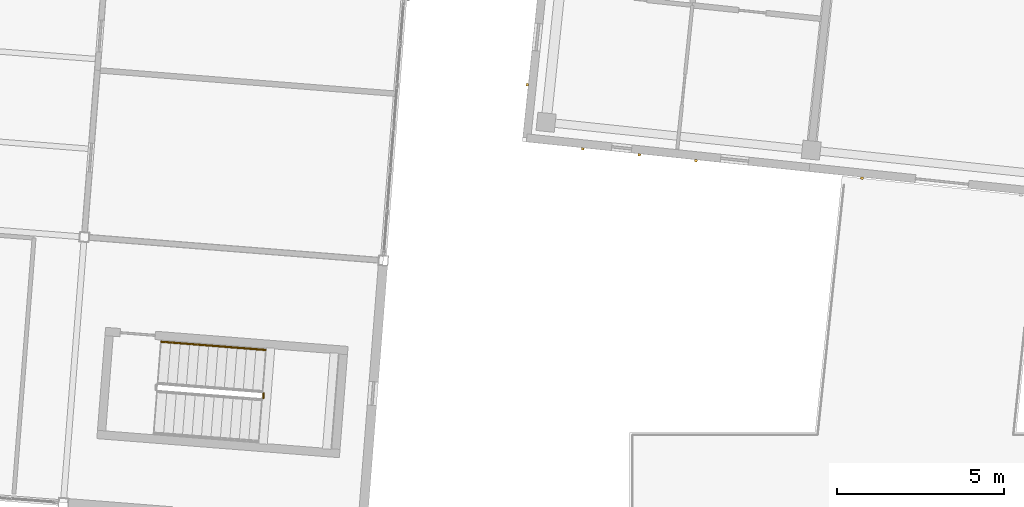
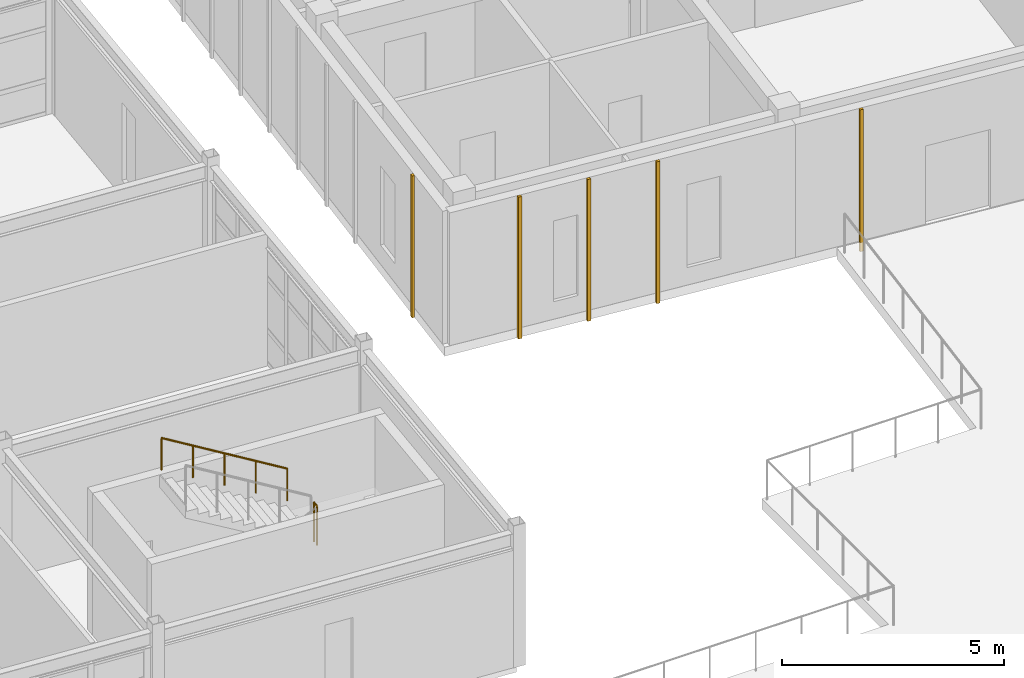
# One storey, part 138 of 150: 5 coverings, 2 railings.
"""IFC4 building model written with IfcOpenShell, lengths in metres."""

from ifc_helpers import new_model, si_unit, direction, frame, origin, origin_2d, place, context, subcontext, project, spatial, rectangle, circle, extrude, material, layer, layer_set, type_object, element, save


model = new_model("IFC4")

# Units and contexts
model_context = context("Model", 3, precision=1e-05, world=origin(), true_north=direction((0.0, 1.0)))
body_context = subcontext(model_context, "Body", "Model", "MODEL_VIEW")
ifc_project = project(units=[si_unit("LENGTHUNIT", "METRE"), si_unit("AREAUNIT", "SQUARE_METRE"), si_unit("VOLUMEUNIT", "CUBIC_METRE"), si_unit("PLANEANGLEUNIT", "RADIAN"), si_unit("MASSUNIT", "GRAM", prefix="KILO")], contexts=[model_context])

# Site, building, storey
site_placement = place(None, origin())
site = spatial("IfcSite", under=ifc_project, at=site_placement, CompositionType="ELEMENT")
building_placement = place(site_placement, origin())
building = spatial("IfcBuilding", under=site, at=building_placement, Name="Kestramere Prow Commons", CompositionType="ELEMENT")
storey_placement = place(building_placement, frame((0.0, 0.0, 4.5)))
storey = spatial("IfcBuildingStorey", under=building, at=storey_placement, Name="L01", CompositionType="ELEMENT", Elevation=4.5)

# Coverings
ifc_material_1 = material(Name="Weathered Zinc-Titanium Standing-Seam Cladding")
ifc_layer = layer(ifc_material_1, 0.074951171875)
ifc_layer_set = layer_set([ifc_layer], Name="Weathered Zinc-Titanium Standing-Seam Cladding")
covering_type = type_object("IfcCoveringType", Name="COV-CLAD-SEAM", PredefinedType="CLADDING", material=ifc_layer_set)
for number, where, z_axis, x_axis, name in (
    (1, (114.494140625, 93.646484375, -0.25), (0.0, 0.0, 1.0), (-0.994521895368, 0.104528463268, 0.0), "EW-B-L01-S-0 Standing-Seam Rib 2"),
    (2, (112.79833984375, 93.82470703125, -0.25), (0.0, 0.0, 1.0), (-0.994521895368, 0.104528463268, 0.0), "EW-B-L01-S-0 Standing-Seam Rib 3"),
    (3, (111.102783203125, 94.0029296875, -0.25), (0.0, 0.0, 1.0), (-0.994521895368, 0.104528463268, 0.0), "EW-B-L01-S-0 Standing-Seam Rib 4"),
    (4, (119.4765625, 93.122802734375, -0.25), (0.0, 0.0, 1.0), (-0.994521895368, 0.104528463268, 0.0), "EW-B-L01-S-1 Standing-Seam Rib 4"),
    (5, (109.437255859375, 95.928466796875, -0.25), (0.0, 0.0, 1.0), (0.104528463268, 0.994521895368, 0.0), "EW-B-L01-EAV Standing-Seam Rib 1"),
):
    element("IfcCovering", number, at=place(storey_placement, frame(where, z_axis=z_axis, x_axis=x_axis)), inside=storey, type_object=covering_type, Name=name, PredefinedType="CLADDING", context=body_context, shape_type="SweptSolid", body=[
        extrude(rectangle(XDim=0.0849609375, YDim=0.06494140625, at=origin_2d()), origin(), (0.0, 0.0, 1.0), 3.89990234375),
    ])

# Railings
ifc_material_2 = material(Name="Galvanised Steel S275JR", Category="steel")
railing_type_1 = type_object("IfcRailingType", Name="RL-ST-GR-1100", PredefinedType="GUARDRAIL", material=ifc_material_2)
railing_1_placement = place(storey_placement, frame((101.5166015625, 86.5205078125, 1.949951171875)))
element("IfcRailing", 6, at=railing_1_placement, inside=storey, type_object=railing_type_1, Name="L01 ST-N2 stair guard 2", PredefinedType="GUARDRAIL", context=body_context, shape_type="SweptSolid", body=[
    extrude(circle(Radius=0.02392578125, at=origin_2d()), frame((0.0, 0.0, 1.076171875), z_axis=(0.078064468229, 0.996948313003, 0.0), x_axis=(-0.996948313003, 0.078064468229, 0.0)), (0.0, 0.0, 1.0), 0.150146484375),
    extrude(circle(Radius=0.02099609375, at=origin_2d()), origin(), (0.0, 0.0, 1.0), 1.052001953125),
    extrude(circle(Radius=0.02099609375, at=origin_2d()), frame((0.01171875, 0.149658203125, 0.0)), (0.0, 0.0, 1.0), 1.052001953125),
])
ifc_material_3 = material(Name="Stainless Steel 304", Category="steel")
railing_type_2 = type_object("IfcRailingType", Name="RL-ST-HR-900", PredefinedType="HANDRAIL", material=ifc_material_3)
railing_2_placement = place(storey_placement, frame((101.58056640625, 87.969970703125, 2.27490234375)))
element("IfcRailing", 7, at=railing_2_placement, inside=storey, type_object=railing_type_2, Name="L01 ST-N2 stair handrail 2", PredefinedType="HANDRAIL", context=body_context, shape_type="SweptSolid", body=[
    extrude(circle(Radius=0.02392578125, at=origin_2d()), frame((0.0, 0.0, 0.8759765625), z_axis=(-0.86603066156, 0.068189260026, 0.495319208244), x_axis=(-0.078494754173, -0.996914526711, 0.0)), (0.0, 0.0, 1.0), 3.60888671875),
    extrude(circle(Radius=0.02099609375, at=origin_2d()), origin(), (0.0, 0.0, 1.0), 0.851806640625),
    extrude(circle(Radius=0.02099609375, at=origin_2d()), frame((-0.78125, 0.0615234375, 0.44677734375)), (0.0, 0.0, 1.0), 0.851806640625),
    extrude(circle(Radius=0.02099609375, at=origin_2d()), frame((-1.562744140625, 0.123046875, 0.893798828125)), (0.0, 0.0, 1.0), 0.851806640625),
    extrude(circle(Radius=0.02099609375, at=origin_2d()), frame((-2.34423828125, 0.1845703125, 1.3408203125)), (0.0, 0.0, 1.0), 0.851806640625),
    extrude(circle(Radius=0.02099609375, at=origin_2d()), frame((-3.12548828125, 0.24609375, 1.78759765625)), (0.0, 0.0, 1.0), 0.851806640625),
])

save(model, "model.ifc")
